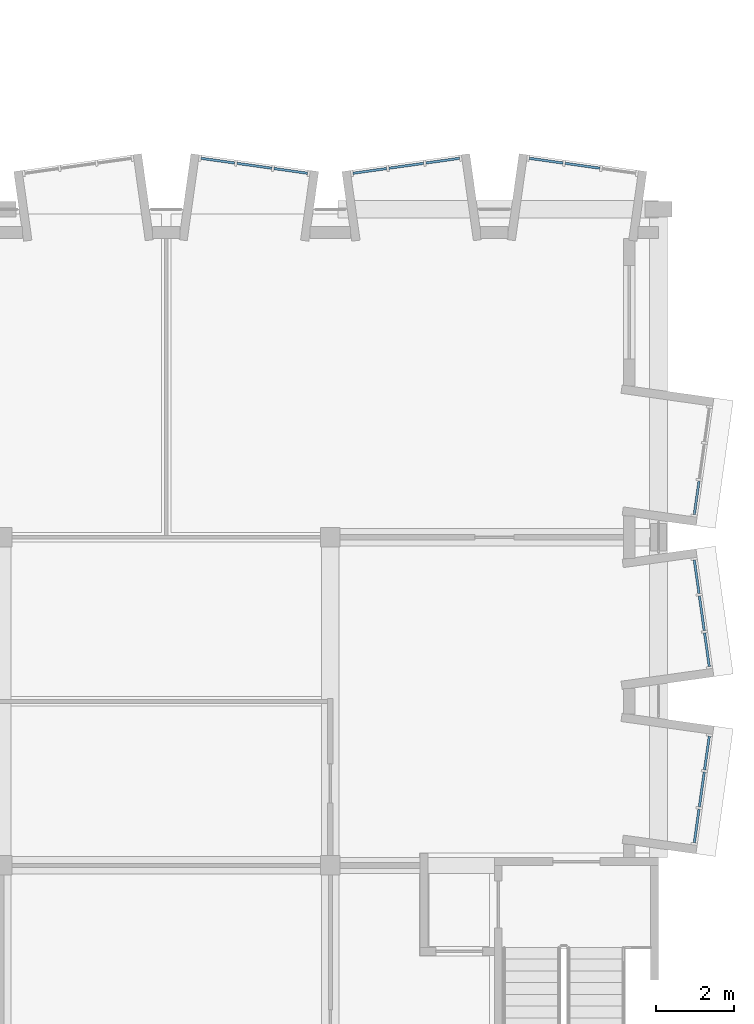
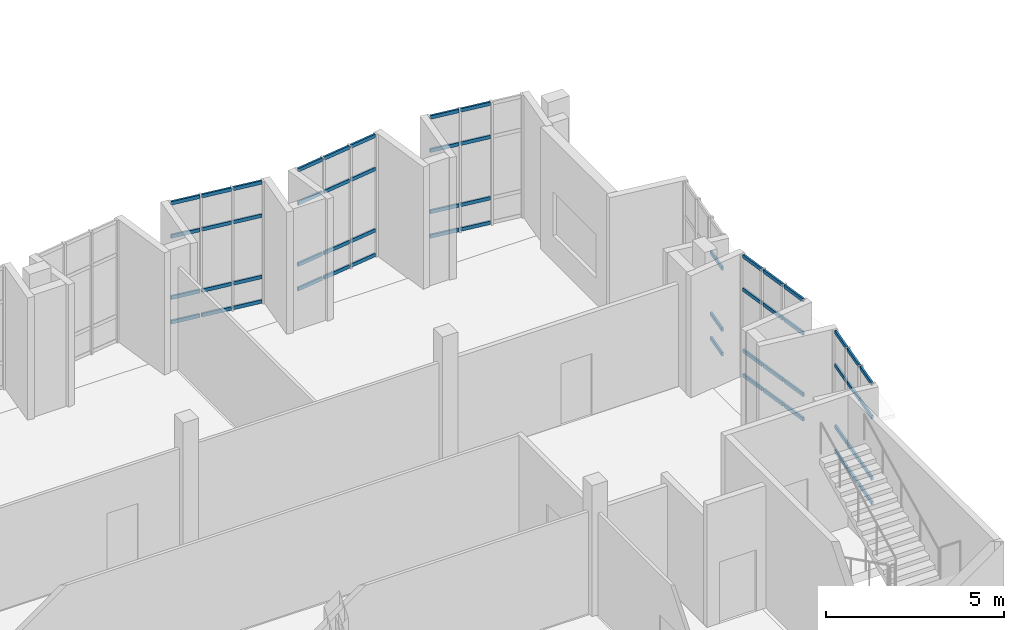
# One storey, part 7 of 18: 59 members, 6 elements without a shape of their own.
"""IFC4 building model written with IfcOpenShell, lengths in metres."""

from ifc_helpers import new_model, si_unit, direction, frame, origin, origin_2d, place, context, subcontext, project, spatial, rectangle, extrude, material, layer, layer_set, material_profile, profile_set, type_object, element, aggregate, save


model = new_model("IFC4")

# Units and contexts
model_context = context("Model", 3, precision=1e-05, world=origin(), true_north=direction((0.0, 1.0)))
body_context = subcontext(model_context, "Body", "Model", "MODEL_VIEW")
ifc_project = project(units=[si_unit("LENGTHUNIT", "METRE"), si_unit("AREAUNIT", "SQUARE_METRE"), si_unit("VOLUMEUNIT", "CUBIC_METRE"), si_unit("PLANEANGLEUNIT", "RADIAN"), si_unit("MASSUNIT", "GRAM", prefix="KILO")], contexts=[model_context])

# Site, building, storey
site_placement = place(None, origin())
site = spatial("IfcSite", under=ifc_project, at=site_placement, CompositionType="ELEMENT")
building_placement = place(site_placement, origin())
building = spatial("IfcBuilding", under=site, at=building_placement, Name="Kiln Court Media Centre", CompositionType="ELEMENT")
storey_placement = place(building_placement, frame((0.0, 0.0, 33.60009765625)))
storey = spatial("IfcBuildingStorey", under=building, at=storey_placement, Name="L07", CompositionType="ELEMENT", Elevation=33.60009765625)

# Curtain wall, members
ifc_material_1 = material(Name="Aluminium 6063-T6", Category="aluminium")
ifc_layer = layer(ifc_material_1, 0.1201171875)
ifc_layer_set = layer_set([ifc_layer], Name="Aluminium unitised bay curtain wall")
curtain_wall_type = type_object("IfcCurtainWallType", Name="Aluminium unitised bay curtain wall", PredefinedType="USERDEFINED", material=ifc_layer_set)
curtain_wall_1_placement = place(storey_placement, origin())
curtain_wall_1 = element("IfcCurtainWall", 1, at=curtain_wall_1_placement, inside=storey, type_object=curtain_wall_type, Name="BAY V6A-E-L07-14 front", ObjectType="UNITISED CURTAIN WALL", PredefinedType="USERDEFINED")
ifc_material_2 = material(Name="Aluminium 6063-T6", Category="aluminium")
ifc_material_profile = material_profile(ifc_material_2, rectangle(XDim=0.06005859375, YDim=0.1201171875, at=origin_2d()), Name="Aluminium transom 60x120")
ifc_profile_set = profile_set([ifc_material_profile], Name="Aluminium 6063-T6")
member_type = type_object("IfcMemberType", Name="Aluminium transom 60x120", PredefinedType="USERDEFINED", material=ifc_profile_set)
member_1_placement = place(storey_placement, frame((34.517822265625, 8.982421875, 0.059814453125), z_axis=(0.139133998951, 0.990273563383, 0.0), x_axis=(-0.990273563383, 0.139133998951, 0.0)))
member_1 = element("IfcMember", 2, at=member_1_placement, type_object=member_type, Name="CW7-01 transom 1.1", ObjectType="TRANSOM", PredefinedType="USERDEFINED", context=body_context, shape_type="SweptSolid", body=[
    extrude(rectangle(XDim=0.06005859375, YDim=0.1201171875, at=origin_2d()), origin(), (0.0, 0.0, 1.0), 0.866943359375),
])
member_2_placement = place(storey_placement, frame((34.517822265625, 8.982421875, 0.89990234375), z_axis=(0.139133998951, 0.990273563383, 0.0), x_axis=(-0.990273563383, 0.139133998951, 0.0)))
member_2 = element("IfcMember", 3, at=member_2_placement, type_object=member_type, Name="CW7-01 transom 1.2", ObjectType="TRANSOM", PredefinedType="USERDEFINED", context=body_context, shape_type="SweptSolid", body=[
    extrude(rectangle(XDim=0.06005859375, YDim=0.1201171875, at=origin_2d()), origin(), (0.0, 0.0, 1.0), 0.866943359375),
])
member_3_placement = place(storey_placement, frame((34.517822265625, 8.982421875, 3.0), z_axis=(0.139133998951, 0.990273563383, 0.0), x_axis=(-0.990273563383, 0.139133998951, 0.0)))
member_3 = element("IfcMember", 4, at=member_3_placement, type_object=member_type, Name="CW7-01 transom 1.3", ObjectType="TRANSOM", PredefinedType="USERDEFINED", context=body_context, shape_type="SweptSolid", body=[
    extrude(rectangle(XDim=0.06005859375, YDim=0.1201171875, at=origin_2d()), origin(), (0.0, 0.0, 1.0), 0.866943359375),
])
member_4_placement = place(storey_placement, frame((34.517822265625, 8.982421875, 4.139892578125), z_axis=(0.139133998951, 0.990273563383, 0.0), x_axis=(-0.990273563383, 0.139133998951, 0.0)))
member_4 = element("IfcMember", 5, at=member_4_placement, type_object=member_type, Name="CW7-01 transom 1.4", ObjectType="TRANSOM", PredefinedType="USERDEFINED", context=body_context, shape_type="SweptSolid", body=[
    extrude(rectangle(XDim=0.06005859375, YDim=0.1201171875, at=origin_2d()), origin(), (0.0, 0.0, 1.0), 0.866943359375),
])
member_5_placement = place(storey_placement, frame((34.646728515625, 9.900146484375, 0.059814453125), z_axis=(0.13913384707, 0.990273584723, 0.0), x_axis=(-0.990273584723, 0.13913384707, 0.0)))
member_5 = element("IfcMember", 6, at=member_5_placement, type_object=member_type, Name="CW7-01 transom 2.1", ObjectType="TRANSOM", PredefinedType="USERDEFINED", context=body_context, shape_type="SweptSolid", body=[
    extrude(rectangle(XDim=0.06005859375, YDim=0.1201171875, at=origin_2d()), origin(), (0.0, 0.0, 1.0), 0.896728515625),
])
member_6_placement = place(storey_placement, frame((34.646728515625, 9.900146484375, 0.89990234375), z_axis=(0.13913384707, 0.990273584723, 0.0), x_axis=(-0.990273584723, 0.13913384707, 0.0)))
member_6 = element("IfcMember", 7, at=member_6_placement, type_object=member_type, Name="CW7-01 transom 2.2", ObjectType="TRANSOM", PredefinedType="USERDEFINED", context=body_context, shape_type="SweptSolid", body=[
    extrude(rectangle(XDim=0.06005859375, YDim=0.1201171875, at=origin_2d()), origin(), (0.0, 0.0, 1.0), 0.896728515625),
])
member_7_placement = place(storey_placement, frame((34.646728515625, 9.900146484375, 3.0), z_axis=(0.13913384707, 0.990273584723, 0.0), x_axis=(-0.990273584723, 0.13913384707, 0.0)))
member_7 = element("IfcMember", 8, at=member_7_placement, type_object=member_type, Name="CW7-01 transom 2.3", ObjectType="TRANSOM", PredefinedType="USERDEFINED", context=body_context, shape_type="SweptSolid", body=[
    extrude(rectangle(XDim=0.06005859375, YDim=0.1201171875, at=origin_2d()), origin(), (0.0, 0.0, 1.0), 0.896728515625),
])
member_8_placement = place(storey_placement, frame((34.646728515625, 9.900146484375, 4.139892578125), z_axis=(0.13913384707, 0.990273584723, 0.0), x_axis=(-0.990273584723, 0.13913384707, 0.0)))
member_8 = element("IfcMember", 9, at=member_8_placement, type_object=member_type, Name="CW7-01 transom 2.4", ObjectType="TRANSOM", PredefinedType="USERDEFINED", context=body_context, shape_type="SweptSolid", body=[
    extrude(rectangle(XDim=0.06005859375, YDim=0.1201171875, at=origin_2d()), origin(), (0.0, 0.0, 1.0), 0.896728515625),
])
member_9_placement = place(storey_placement, frame((34.77978515625, 10.84765625, 0.059814453125), z_axis=(0.139172815303, 0.990268108888, 0.0), x_axis=(-0.990268108888, 0.139172815303, 0.0)))
member_9 = element("IfcMember", 10, at=member_9_placement, type_object=member_type, Name="CW7-01 transom 3.1", ObjectType="TRANSOM", PredefinedType="USERDEFINED", context=body_context, shape_type="SweptSolid", body=[
    extrude(rectangle(XDim=0.06005859375, YDim=0.1201171875, at=origin_2d()), origin(), (0.0, 0.0, 1.0), 0.86669921875),
])
member_10_placement = place(storey_placement, frame((34.77978515625, 10.84765625, 0.89990234375), z_axis=(0.139172815303, 0.990268108888, 0.0), x_axis=(-0.990268108888, 0.139172815303, 0.0)))
member_10 = element("IfcMember", 11, at=member_10_placement, type_object=member_type, Name="CW7-01 transom 3.2", ObjectType="TRANSOM", PredefinedType="USERDEFINED", context=body_context, shape_type="SweptSolid", body=[
    extrude(rectangle(XDim=0.06005859375, YDim=0.1201171875, at=origin_2d()), origin(), (0.0, 0.0, 1.0), 0.86669921875),
])
member_11_placement = place(storey_placement, frame((34.77978515625, 10.84765625, 3.0), z_axis=(0.139172815303, 0.990268108888, 0.0), x_axis=(-0.990268108888, 0.139172815303, 0.0)))
member_11 = element("IfcMember", 12, at=member_11_placement, type_object=member_type, Name="CW7-01 transom 3.3", ObjectType="TRANSOM", PredefinedType="USERDEFINED", context=body_context, shape_type="SweptSolid", body=[
    extrude(rectangle(XDim=0.06005859375, YDim=0.1201171875, at=origin_2d()), origin(), (0.0, 0.0, 1.0), 0.86669921875),
])
member_12_placement = place(storey_placement, frame((34.77978515625, 10.84765625, 4.139892578125), z_axis=(0.139172815303, 0.990268108888, 0.0), x_axis=(-0.990268108888, 0.139172815303, 0.0)))
member_12 = element("IfcMember", 13, at=member_12_placement, type_object=member_type, Name="CW7-01 transom 3.4", ObjectType="TRANSOM", PredefinedType="USERDEFINED", context=body_context, shape_type="SweptSolid", body=[
    extrude(rectangle(XDim=0.06005859375, YDim=0.1201171875, at=origin_2d()), origin(), (0.0, 0.0, 1.0), 0.86669921875),
])
aggregate(curtain_wall_1, [member_1, member_2, member_3, member_4, member_5, member_6, member_7, member_8, member_9, member_10, member_11, member_12])

curtain_wall_2_placement = place(storey_placement, origin())
curtain_wall_2 = element("IfcCurtainWall", 14, at=curtain_wall_2_placement, inside=storey, type_object=curtain_wall_type, Name="BAY V6A-E-L07-15 front", ObjectType="UNITISED CURTAIN WALL", PredefinedType="USERDEFINED")
member_13_placement = place(storey_placement, frame((34.900390625, 13.494140625, 0.059814453125), z_axis=(-0.139133998951, 0.990273563383, 0.0), x_axis=(-0.990273563383, -0.139133998951, 0.0)))
member_13 = element("IfcMember", 15, at=member_13_placement, type_object=member_type, Name="CW7-02 transom 1.1", ObjectType="TRANSOM", PredefinedType="USERDEFINED", context=body_context, shape_type="SweptSolid", body=[
    extrude(rectangle(XDim=0.06005859375, YDim=0.1201171875, at=origin_2d()), origin(), (0.0, 0.0, 1.0), 0.866943359375),
])
member_14_placement = place(storey_placement, frame((34.900390625, 13.494140625, 0.89990234375), z_axis=(-0.139133998951, 0.990273563383, 0.0), x_axis=(-0.990273563383, -0.139133998951, 0.0)))
member_14 = element("IfcMember", 16, at=member_14_placement, type_object=member_type, Name="CW7-02 transom 1.2", ObjectType="TRANSOM", PredefinedType="USERDEFINED", context=body_context, shape_type="SweptSolid", body=[
    extrude(rectangle(XDim=0.06005859375, YDim=0.1201171875, at=origin_2d()), origin(), (0.0, 0.0, 1.0), 0.866943359375),
])
member_15_placement = place(storey_placement, frame((34.900390625, 13.494140625, 3.0), z_axis=(-0.139133998951, 0.990273563383, 0.0), x_axis=(-0.990273563383, -0.139133998951, 0.0)))
member_15 = element("IfcMember", 17, at=member_15_placement, type_object=member_type, Name="CW7-02 transom 1.3", ObjectType="TRANSOM", PredefinedType="USERDEFINED", context=body_context, shape_type="SweptSolid", body=[
    extrude(rectangle(XDim=0.06005859375, YDim=0.1201171875, at=origin_2d()), origin(), (0.0, 0.0, 1.0), 0.866943359375),
])
member_16_placement = place(storey_placement, frame((34.900390625, 13.494140625, 4.139892578125), z_axis=(-0.139133998951, 0.990273563383, 0.0), x_axis=(-0.990273563383, -0.139133998951, 0.0)))
member_16 = element("IfcMember", 18, at=member_16_placement, type_object=member_type, Name="CW7-02 transom 1.4", ObjectType="TRANSOM", PredefinedType="USERDEFINED", context=body_context, shape_type="SweptSolid", body=[
    extrude(rectangle(XDim=0.06005859375, YDim=0.1201171875, at=origin_2d()), origin(), (0.0, 0.0, 1.0), 0.866943359375),
])
member_17_placement = place(storey_placement, frame((34.771484375, 14.411865234375, 0.059814453125), z_axis=(-0.13913384707, 0.990273584723, 0.0), x_axis=(-0.990273584723, -0.13913384707, 0.0)))
member_17 = element("IfcMember", 19, at=member_17_placement, type_object=member_type, Name="CW7-02 transom 2.1", ObjectType="TRANSOM", PredefinedType="USERDEFINED", context=body_context, shape_type="SweptSolid", body=[
    extrude(rectangle(XDim=0.06005859375, YDim=0.1201171875, at=origin_2d()), origin(), (0.0, 0.0, 1.0), 0.896728515625),
])
member_18_placement = place(storey_placement, frame((34.771484375, 14.411865234375, 0.89990234375), z_axis=(-0.13913384707, 0.990273584723, 0.0), x_axis=(-0.990273584723, -0.13913384707, 0.0)))
member_18 = element("IfcMember", 20, at=member_18_placement, type_object=member_type, Name="CW7-02 transom 2.2", ObjectType="TRANSOM", PredefinedType="USERDEFINED", context=body_context, shape_type="SweptSolid", body=[
    extrude(rectangle(XDim=0.06005859375, YDim=0.1201171875, at=origin_2d()), origin(), (0.0, 0.0, 1.0), 0.896728515625),
])
member_19_placement = place(storey_placement, frame((34.771484375, 14.411865234375, 3.0), z_axis=(-0.13913384707, 0.990273584723, 0.0), x_axis=(-0.990273584723, -0.13913384707, 0.0)))
member_19 = element("IfcMember", 21, at=member_19_placement, type_object=member_type, Name="CW7-02 transom 2.3", ObjectType="TRANSOM", PredefinedType="USERDEFINED", context=body_context, shape_type="SweptSolid", body=[
    extrude(rectangle(XDim=0.06005859375, YDim=0.1201171875, at=origin_2d()), origin(), (0.0, 0.0, 1.0), 0.896728515625),
])
member_20_placement = place(storey_placement, frame((34.771484375, 14.411865234375, 4.139892578125), z_axis=(-0.13913384707, 0.990273584723, 0.0), x_axis=(-0.990273584723, -0.13913384707, 0.0)))
member_20 = element("IfcMember", 22, at=member_20_placement, type_object=member_type, Name="CW7-02 transom 2.4", ObjectType="TRANSOM", PredefinedType="USERDEFINED", context=body_context, shape_type="SweptSolid", body=[
    extrude(rectangle(XDim=0.06005859375, YDim=0.1201171875, at=origin_2d()), origin(), (0.0, 0.0, 1.0), 0.896728515625),
])
member_21_placement = place(storey_placement, frame((34.638427734375, 15.359130859375, 0.059814453125), z_axis=(-0.139133998951, 0.990273563383, 0.0), x_axis=(-0.990273563383, -0.139133998951, 0.0)))
member_21 = element("IfcMember", 23, at=member_21_placement, type_object=member_type, Name="CW7-02 transom 3.1", ObjectType="TRANSOM", PredefinedType="USERDEFINED", context=body_context, shape_type="SweptSolid", body=[
    extrude(rectangle(XDim=0.06005859375, YDim=0.1201171875, at=origin_2d()), origin(), (0.0, 0.0, 1.0), 0.866943359375),
])
member_22_placement = place(storey_placement, frame((34.638427734375, 15.359130859375, 0.89990234375), z_axis=(-0.139133998951, 0.990273563383, 0.0), x_axis=(-0.990273563383, -0.139133998951, 0.0)))
member_22 = element("IfcMember", 24, at=member_22_placement, type_object=member_type, Name="CW7-02 transom 3.2", ObjectType="TRANSOM", PredefinedType="USERDEFINED", context=body_context, shape_type="SweptSolid", body=[
    extrude(rectangle(XDim=0.06005859375, YDim=0.1201171875, at=origin_2d()), origin(), (0.0, 0.0, 1.0), 0.866943359375),
])
member_23_placement = place(storey_placement, frame((34.638427734375, 15.359130859375, 3.0), z_axis=(-0.139133998951, 0.990273563383, 0.0), x_axis=(-0.990273563383, -0.139133998951, 0.0)))
member_23 = element("IfcMember", 25, at=member_23_placement, type_object=member_type, Name="CW7-02 transom 3.3", ObjectType="TRANSOM", PredefinedType="USERDEFINED", context=body_context, shape_type="SweptSolid", body=[
    extrude(rectangle(XDim=0.06005859375, YDim=0.1201171875, at=origin_2d()), origin(), (0.0, 0.0, 1.0), 0.866943359375),
])
member_24_placement = place(storey_placement, frame((34.638427734375, 15.359130859375, 4.139892578125), z_axis=(-0.139133998951, 0.990273563383, 0.0), x_axis=(-0.990273563383, -0.139133998951, 0.0)))
member_24 = element("IfcMember", 26, at=member_24_placement, type_object=member_type, Name="CW7-02 transom 3.4", ObjectType="TRANSOM", PredefinedType="USERDEFINED", context=body_context, shape_type="SweptSolid", body=[
    extrude(rectangle(XDim=0.06005859375, YDim=0.1201171875, at=origin_2d()), origin(), (0.0, 0.0, 1.0), 0.866943359375),
])
aggregate(curtain_wall_2, [member_13, member_14, member_15, member_16, member_17, member_18, member_19, member_20, member_21, member_22, member_23, member_24])

curtain_wall_3_placement = place(storey_placement, origin())
curtain_wall_3 = element("IfcCurtainWall", 27, at=curtain_wall_3_placement, inside=storey, type_object=curtain_wall_type, Name="BAY V6A-E-L07-16 front", ObjectType="UNITISED CURTAIN WALL", PredefinedType="USERDEFINED")
member_25_placement = place(storey_placement, frame((34.517822265625, 17.382568359375, 0.059814453125), z_axis=(0.139172815303, 0.990268108888, 0.0), x_axis=(-0.990268108888, 0.139172815303, 0.0)))
member_25 = element("IfcMember", 28, at=member_25_placement, type_object=member_type, Name="CW7-03 transom 1.1", ObjectType="TRANSOM", PredefinedType="USERDEFINED", context=body_context, shape_type="SweptSolid", body=[
    extrude(rectangle(XDim=0.06005859375, YDim=0.1201171875, at=origin_2d()), origin(), (0.0, 0.0, 1.0), 0.86669921875),
])
member_26_placement = place(storey_placement, frame((34.517822265625, 17.382568359375, 0.89990234375), z_axis=(0.139172815303, 0.990268108888, 0.0), x_axis=(-0.990268108888, 0.139172815303, 0.0)))
member_26 = element("IfcMember", 29, at=member_26_placement, type_object=member_type, Name="CW7-03 transom 1.2", ObjectType="TRANSOM", PredefinedType="USERDEFINED", context=body_context, shape_type="SweptSolid", body=[
    extrude(rectangle(XDim=0.06005859375, YDim=0.1201171875, at=origin_2d()), origin(), (0.0, 0.0, 1.0), 0.86669921875),
])
member_27_placement = place(storey_placement, frame((34.517822265625, 17.382568359375, 3.0), z_axis=(0.139172815303, 0.990268108888, 0.0), x_axis=(-0.990268108888, 0.139172815303, 0.0)))
member_27 = element("IfcMember", 30, at=member_27_placement, type_object=member_type, Name="CW7-03 transom 1.3", ObjectType="TRANSOM", PredefinedType="USERDEFINED", context=body_context, shape_type="SweptSolid", body=[
    extrude(rectangle(XDim=0.06005859375, YDim=0.1201171875, at=origin_2d()), origin(), (0.0, 0.0, 1.0), 0.86669921875),
])
aggregate(curtain_wall_3, [member_25, member_26, member_27])

curtain_wall_4_placement = place(storey_placement, origin())
curtain_wall_4 = element("IfcCurtainWall", 31, at=curtain_wall_4_placement, inside=storey, type_object=curtain_wall_type, Name="BAY V6A-N-L07-49 front", ObjectType="UNITISED CURTAIN WALL", PredefinedType="USERDEFINED")
member_28_placement = place(storey_placement, frame((21.894287109375, 26.50048828125, 0.059814453125), z_axis=(0.990268108888, -0.139172815303, 0.0), x_axis=(0.139172815303, 0.990268108888, 0.0)))
member_28 = element("IfcMember", 32, at=member_28_placement, type_object=member_type, Name="CW7-08 transom 1.1", ObjectType="TRANSOM", PredefinedType="USERDEFINED", context=body_context, shape_type="SweptSolid", body=[
    extrude(rectangle(XDim=0.06005859375, YDim=0.1201171875, at=origin_2d()), origin(), (0.0, 0.0, 1.0), 0.86669921875),
])
member_29_placement = place(storey_placement, frame((21.894287109375, 26.50048828125, 0.89990234375), z_axis=(0.990268108888, -0.139172815303, 0.0), x_axis=(0.139172815303, 0.990268108888, 0.0)))
member_29 = element("IfcMember", 33, at=member_29_placement, type_object=member_type, Name="CW7-08 transom 1.2", ObjectType="TRANSOM", PredefinedType="USERDEFINED", context=body_context, shape_type="SweptSolid", body=[
    extrude(rectangle(XDim=0.06005859375, YDim=0.1201171875, at=origin_2d()), origin(), (0.0, 0.0, 1.0), 0.86669921875),
])
member_30_placement = place(storey_placement, frame((21.894287109375, 26.50048828125, 3.0), z_axis=(0.990268108888, -0.139172815303, 0.0), x_axis=(0.139172815303, 0.990268108888, 0.0)))
member_30 = element("IfcMember", 34, at=member_30_placement, type_object=member_type, Name="CW7-08 transom 1.3", ObjectType="TRANSOM", PredefinedType="USERDEFINED", context=body_context, shape_type="SweptSolid", body=[
    extrude(rectangle(XDim=0.06005859375, YDim=0.1201171875, at=origin_2d()), origin(), (0.0, 0.0, 1.0), 0.86669921875),
])
member_31_placement = place(storey_placement, frame((21.894287109375, 26.50048828125, 4.139892578125), z_axis=(0.990268108888, -0.139172815303, 0.0), x_axis=(0.139172815303, 0.990268108888, 0.0)))
member_31 = element("IfcMember", 35, at=member_31_placement, type_object=member_type, Name="CW7-08 transom 1.4", ObjectType="TRANSOM", PredefinedType="USERDEFINED", context=body_context, shape_type="SweptSolid", body=[
    extrude(rectangle(XDim=0.06005859375, YDim=0.1201171875, at=origin_2d()), origin(), (0.0, 0.0, 1.0), 0.86669921875),
])
member_32_placement = place(storey_placement, frame((22.811767578125, 26.37158203125, 0.059814453125), z_axis=(0.990273584723, -0.13913384707, 0.0), x_axis=(0.13913384707, 0.990273584723, 0.0)))
member_32 = element("IfcMember", 36, at=member_32_placement, type_object=member_type, Name="CW7-08 transom 2.1", ObjectType="TRANSOM", PredefinedType="USERDEFINED", context=body_context, shape_type="SweptSolid", body=[
    extrude(rectangle(XDim=0.06005859375, YDim=0.1201171875, at=origin_2d()), origin(), (0.0, 0.0, 1.0), 0.896728515625),
])
member_33_placement = place(storey_placement, frame((22.811767578125, 26.37158203125, 0.89990234375), z_axis=(0.990273584723, -0.13913384707, 0.0), x_axis=(0.13913384707, 0.990273584723, 0.0)))
member_33 = element("IfcMember", 37, at=member_33_placement, type_object=member_type, Name="CW7-08 transom 2.2", ObjectType="TRANSOM", PredefinedType="USERDEFINED", context=body_context, shape_type="SweptSolid", body=[
    extrude(rectangle(XDim=0.06005859375, YDim=0.1201171875, at=origin_2d()), origin(), (0.0, 0.0, 1.0), 0.896728515625),
])
member_34_placement = place(storey_placement, frame((22.811767578125, 26.37158203125, 3.0), z_axis=(0.990273584723, -0.13913384707, 0.0), x_axis=(0.13913384707, 0.990273584723, 0.0)))
member_34 = element("IfcMember", 38, at=member_34_placement, type_object=member_type, Name="CW7-08 transom 2.3", ObjectType="TRANSOM", PredefinedType="USERDEFINED", context=body_context, shape_type="SweptSolid", body=[
    extrude(rectangle(XDim=0.06005859375, YDim=0.1201171875, at=origin_2d()), origin(), (0.0, 0.0, 1.0), 0.896728515625),
])
member_35_placement = place(storey_placement, frame((22.811767578125, 26.37158203125, 4.139892578125), z_axis=(0.990273584723, -0.13913384707, 0.0), x_axis=(0.13913384707, 0.990273584723, 0.0)))
member_35 = element("IfcMember", 39, at=member_35_placement, type_object=member_type, Name="CW7-08 transom 2.4", ObjectType="TRANSOM", PredefinedType="USERDEFINED", context=body_context, shape_type="SweptSolid", body=[
    extrude(rectangle(XDim=0.06005859375, YDim=0.1201171875, at=origin_2d()), origin(), (0.0, 0.0, 1.0), 0.896728515625),
])
member_36_placement = place(storey_placement, frame((23.75927734375, 26.23828125, 0.059814453125), z_axis=(0.990268108888, -0.139172815303, 0.0), x_axis=(0.139172815303, 0.990268108888, 0.0)))
member_36 = element("IfcMember", 40, at=member_36_placement, type_object=member_type, Name="CW7-08 transom 3.1", ObjectType="TRANSOM", PredefinedType="USERDEFINED", context=body_context, shape_type="SweptSolid", body=[
    extrude(rectangle(XDim=0.06005859375, YDim=0.1201171875, at=origin_2d()), origin(), (0.0, 0.0, 1.0), 0.86669921875),
])
member_37_placement = place(storey_placement, frame((23.75927734375, 26.23828125, 0.89990234375), z_axis=(0.990268108888, -0.139172815303, 0.0), x_axis=(0.139172815303, 0.990268108888, 0.0)))
member_37 = element("IfcMember", 41, at=member_37_placement, type_object=member_type, Name="CW7-08 transom 3.2", ObjectType="TRANSOM", PredefinedType="USERDEFINED", context=body_context, shape_type="SweptSolid", body=[
    extrude(rectangle(XDim=0.06005859375, YDim=0.1201171875, at=origin_2d()), origin(), (0.0, 0.0, 1.0), 0.86669921875),
])
member_38_placement = place(storey_placement, frame((23.75927734375, 26.23828125, 3.0), z_axis=(0.990268108888, -0.139172815303, 0.0), x_axis=(0.139172815303, 0.990268108888, 0.0)))
member_38 = element("IfcMember", 42, at=member_38_placement, type_object=member_type, Name="CW7-08 transom 3.3", ObjectType="TRANSOM", PredefinedType="USERDEFINED", context=body_context, shape_type="SweptSolid", body=[
    extrude(rectangle(XDim=0.06005859375, YDim=0.1201171875, at=origin_2d()), origin(), (0.0, 0.0, 1.0), 0.86669921875),
])
member_39_placement = place(storey_placement, frame((23.75927734375, 26.23828125, 4.139892578125), z_axis=(0.990268108888, -0.139172815303, 0.0), x_axis=(0.139172815303, 0.990268108888, 0.0)))
member_39 = element("IfcMember", 43, at=member_39_placement, type_object=member_type, Name="CW7-08 transom 3.4", ObjectType="TRANSOM", PredefinedType="USERDEFINED", context=body_context, shape_type="SweptSolid", body=[
    extrude(rectangle(XDim=0.06005859375, YDim=0.1201171875, at=origin_2d()), origin(), (0.0, 0.0, 1.0), 0.86669921875),
])
aggregate(curtain_wall_4, [member_28, member_29, member_30, member_31, member_32, member_33, member_34, member_35, member_36, member_37, member_38, member_39])

curtain_wall_5_placement = place(storey_placement, origin())
curtain_wall_5 = element("IfcCurtainWall", 44, at=curtain_wall_5_placement, inside=storey, type_object=curtain_wall_type, Name="BAY V6A-N-L07-50 front", ObjectType="UNITISED CURTAIN WALL", PredefinedType="USERDEFINED")
member_40_placement = place(storey_placement, frame((25.782470703125, 26.11767578125, 0.059814453125), z_axis=(0.990273563383, 0.139133998951, 0.0), x_axis=(-0.139133998951, 0.990273563383, 0.0)))
member_40 = element("IfcMember", 45, at=member_40_placement, type_object=member_type, Name="CW7-09 transom 1.1", ObjectType="TRANSOM", PredefinedType="USERDEFINED", context=body_context, shape_type="SweptSolid", body=[
    extrude(rectangle(XDim=0.06005859375, YDim=0.1201171875, at=origin_2d()), origin(), (0.0, 0.0, 1.0), 0.866943359375),
])
member_41_placement = place(storey_placement, frame((25.782470703125, 26.11767578125, 0.89990234375), z_axis=(0.990273563383, 0.139133998951, 0.0), x_axis=(-0.139133998951, 0.990273563383, 0.0)))
member_41 = element("IfcMember", 46, at=member_41_placement, type_object=member_type, Name="CW7-09 transom 1.2", ObjectType="TRANSOM", PredefinedType="USERDEFINED", context=body_context, shape_type="SweptSolid", body=[
    extrude(rectangle(XDim=0.06005859375, YDim=0.1201171875, at=origin_2d()), origin(), (0.0, 0.0, 1.0), 0.866943359375),
])
member_42_placement = place(storey_placement, frame((25.782470703125, 26.11767578125, 3.0), z_axis=(0.990273563383, 0.139133998951, 0.0), x_axis=(-0.139133998951, 0.990273563383, 0.0)))
member_42 = element("IfcMember", 47, at=member_42_placement, type_object=member_type, Name="CW7-09 transom 1.3", ObjectType="TRANSOM", PredefinedType="USERDEFINED", context=body_context, shape_type="SweptSolid", body=[
    extrude(rectangle(XDim=0.06005859375, YDim=0.1201171875, at=origin_2d()), origin(), (0.0, 0.0, 1.0), 0.866943359375),
])
member_43_placement = place(storey_placement, frame((25.782470703125, 26.11767578125, 4.139892578125), z_axis=(0.990273563383, 0.139133998951, 0.0), x_axis=(-0.139133998951, 0.990273563383, 0.0)))
member_43 = element("IfcMember", 48, at=member_43_placement, type_object=member_type, Name="CW7-09 transom 1.4", ObjectType="TRANSOM", PredefinedType="USERDEFINED", context=body_context, shape_type="SweptSolid", body=[
    extrude(rectangle(XDim=0.06005859375, YDim=0.1201171875, at=origin_2d()), origin(), (0.0, 0.0, 1.0), 0.866943359375),
])
member_44_placement = place(storey_placement, frame((26.7001953125, 26.246826171875, 0.059814453125), z_axis=(0.990273584723, 0.13913384707, 0.0), x_axis=(-0.13913384707, 0.990273584723, 0.0)))
member_44 = element("IfcMember", 49, at=member_44_placement, type_object=member_type, Name="CW7-09 transom 2.1", ObjectType="TRANSOM", PredefinedType="USERDEFINED", context=body_context, shape_type="SweptSolid", body=[
    extrude(rectangle(XDim=0.06005859375, YDim=0.1201171875, at=origin_2d()), origin(), (0.0, 0.0, 1.0), 0.896728515625),
])
member_45_placement = place(storey_placement, frame((26.7001953125, 26.246826171875, 0.89990234375), z_axis=(0.990273584723, 0.13913384707, 0.0), x_axis=(-0.13913384707, 0.990273584723, 0.0)))
member_45 = element("IfcMember", 50, at=member_45_placement, type_object=member_type, Name="CW7-09 transom 2.2", ObjectType="TRANSOM", PredefinedType="USERDEFINED", context=body_context, shape_type="SweptSolid", body=[
    extrude(rectangle(XDim=0.06005859375, YDim=0.1201171875, at=origin_2d()), origin(), (0.0, 0.0, 1.0), 0.896728515625),
])
member_46_placement = place(storey_placement, frame((26.7001953125, 26.246826171875, 3.0), z_axis=(0.990273584723, 0.13913384707, 0.0), x_axis=(-0.13913384707, 0.990273584723, 0.0)))
member_46 = element("IfcMember", 51, at=member_46_placement, type_object=member_type, Name="CW7-09 transom 2.3", ObjectType="TRANSOM", PredefinedType="USERDEFINED", context=body_context, shape_type="SweptSolid", body=[
    extrude(rectangle(XDim=0.06005859375, YDim=0.1201171875, at=origin_2d()), origin(), (0.0, 0.0, 1.0), 0.896728515625),
])
member_47_placement = place(storey_placement, frame((26.7001953125, 26.246826171875, 4.139892578125), z_axis=(0.990273584723, 0.13913384707, 0.0), x_axis=(-0.13913384707, 0.990273584723, 0.0)))
member_47 = element("IfcMember", 52, at=member_47_placement, type_object=member_type, Name="CW7-09 transom 2.4", ObjectType="TRANSOM", PredefinedType="USERDEFINED", context=body_context, shape_type="SweptSolid", body=[
    extrude(rectangle(XDim=0.06005859375, YDim=0.1201171875, at=origin_2d()), origin(), (0.0, 0.0, 1.0), 0.896728515625),
])
member_48_placement = place(storey_placement, frame((27.6474609375, 26.3798828125, 0.059814453125), z_axis=(0.990273563383, 0.139133998951, 0.0), x_axis=(-0.139133998951, 0.990273563383, 0.0)))
member_48 = element("IfcMember", 53, at=member_48_placement, type_object=member_type, Name="CW7-09 transom 3.1", ObjectType="TRANSOM", PredefinedType="USERDEFINED", context=body_context, shape_type="SweptSolid", body=[
    extrude(rectangle(XDim=0.06005859375, YDim=0.1201171875, at=origin_2d()), origin(), (0.0, 0.0, 1.0), 0.866943359375),
])
member_49_placement = place(storey_placement, frame((27.6474609375, 26.3798828125, 0.89990234375), z_axis=(0.990273563383, 0.139133998951, 0.0), x_axis=(-0.139133998951, 0.990273563383, 0.0)))
member_49 = element("IfcMember", 54, at=member_49_placement, type_object=member_type, Name="CW7-09 transom 3.2", ObjectType="TRANSOM", PredefinedType="USERDEFINED", context=body_context, shape_type="SweptSolid", body=[
    extrude(rectangle(XDim=0.06005859375, YDim=0.1201171875, at=origin_2d()), origin(), (0.0, 0.0, 1.0), 0.866943359375),
])
member_50_placement = place(storey_placement, frame((27.6474609375, 26.3798828125, 3.0), z_axis=(0.990273563383, 0.139133998951, 0.0), x_axis=(-0.139133998951, 0.990273563383, 0.0)))
member_50 = element("IfcMember", 55, at=member_50_placement, type_object=member_type, Name="CW7-09 transom 3.3", ObjectType="TRANSOM", PredefinedType="USERDEFINED", context=body_context, shape_type="SweptSolid", body=[
    extrude(rectangle(XDim=0.06005859375, YDim=0.1201171875, at=origin_2d()), origin(), (0.0, 0.0, 1.0), 0.866943359375),
])
member_51_placement = place(storey_placement, frame((27.6474609375, 26.3798828125, 4.139892578125), z_axis=(0.990273563383, 0.139133998951, 0.0), x_axis=(-0.139133998951, 0.990273563383, 0.0)))
member_51 = element("IfcMember", 56, at=member_51_placement, type_object=member_type, Name="CW7-09 transom 3.4", ObjectType="TRANSOM", PredefinedType="USERDEFINED", context=body_context, shape_type="SweptSolid", body=[
    extrude(rectangle(XDim=0.06005859375, YDim=0.1201171875, at=origin_2d()), origin(), (0.0, 0.0, 1.0), 0.866943359375),
])
aggregate(curtain_wall_5, [member_40, member_41, member_42, member_43, member_44, member_45, member_46, member_47, member_48, member_49, member_50, member_51])

curtain_wall_6_placement = place(storey_placement, origin())
curtain_wall_6 = element("IfcCurtainWall", 57, at=curtain_wall_6_placement, inside=storey, type_object=curtain_wall_type, Name="BAY V6A-N-L07-51 front", ObjectType="UNITISED CURTAIN WALL", PredefinedType="USERDEFINED")
member_52_placement = place(storey_placement, frame((30.294189453125, 26.50048828125, 0.059814453125), z_axis=(0.990268108888, -0.139172815303, 0.0), x_axis=(0.139172815303, 0.990268108888, 0.0)))
member_52 = element("IfcMember", 58, at=member_52_placement, type_object=member_type, Name="CW7-10 transom 1.1", ObjectType="TRANSOM", PredefinedType="USERDEFINED", context=body_context, shape_type="SweptSolid", body=[
    extrude(rectangle(XDim=0.06005859375, YDim=0.1201171875, at=origin_2d()), origin(), (0.0, 0.0, 1.0), 0.86669921875),
])
member_53_placement = place(storey_placement, frame((30.294189453125, 26.50048828125, 0.89990234375), z_axis=(0.990268108888, -0.139172815303, 0.0), x_axis=(0.139172815303, 0.990268108888, 0.0)))
member_53 = element("IfcMember", 59, at=member_53_placement, type_object=member_type, Name="CW7-10 transom 1.2", ObjectType="TRANSOM", PredefinedType="USERDEFINED", context=body_context, shape_type="SweptSolid", body=[
    extrude(rectangle(XDim=0.06005859375, YDim=0.1201171875, at=origin_2d()), origin(), (0.0, 0.0, 1.0), 0.86669921875),
])
member_54_placement = place(storey_placement, frame((30.294189453125, 26.50048828125, 3.0), z_axis=(0.990268108888, -0.139172815303, 0.0), x_axis=(0.139172815303, 0.990268108888, 0.0)))
member_54 = element("IfcMember", 60, at=member_54_placement, type_object=member_type, Name="CW7-10 transom 1.3", ObjectType="TRANSOM", PredefinedType="USERDEFINED", context=body_context, shape_type="SweptSolid", body=[
    extrude(rectangle(XDim=0.06005859375, YDim=0.1201171875, at=origin_2d()), origin(), (0.0, 0.0, 1.0), 0.86669921875),
])
member_55_placement = place(storey_placement, frame((30.294189453125, 26.50048828125, 4.139892578125), z_axis=(0.990268108888, -0.139172815303, 0.0), x_axis=(0.139172815303, 0.990268108888, 0.0)))
member_55 = element("IfcMember", 61, at=member_55_placement, type_object=member_type, Name="CW7-10 transom 1.4", ObjectType="TRANSOM", PredefinedType="USERDEFINED", context=body_context, shape_type="SweptSolid", body=[
    extrude(rectangle(XDim=0.06005859375, YDim=0.1201171875, at=origin_2d()), origin(), (0.0, 0.0, 1.0), 0.86669921875),
])
member_56_placement = place(storey_placement, frame((31.2119140625, 26.37158203125, 0.059814453125), z_axis=(0.990273584723, -0.13913384707, 0.0), x_axis=(0.13913384707, 0.990273584723, 0.0)))
member_56 = element("IfcMember", 62, at=member_56_placement, type_object=member_type, Name="CW7-10 transom 2.1", ObjectType="TRANSOM", PredefinedType="USERDEFINED", context=body_context, shape_type="SweptSolid", body=[
    extrude(rectangle(XDim=0.06005859375, YDim=0.1201171875, at=origin_2d()), origin(), (0.0, 0.0, 1.0), 0.896728515625),
])
member_57_placement = place(storey_placement, frame((31.2119140625, 26.37158203125, 0.89990234375), z_axis=(0.990273584723, -0.13913384707, 0.0), x_axis=(0.13913384707, 0.990273584723, 0.0)))
member_57 = element("IfcMember", 63, at=member_57_placement, type_object=member_type, Name="CW7-10 transom 2.2", ObjectType="TRANSOM", PredefinedType="USERDEFINED", context=body_context, shape_type="SweptSolid", body=[
    extrude(rectangle(XDim=0.06005859375, YDim=0.1201171875, at=origin_2d()), origin(), (0.0, 0.0, 1.0), 0.896728515625),
])
member_58_placement = place(storey_placement, frame((31.2119140625, 26.37158203125, 3.0), z_axis=(0.990273584723, -0.13913384707, 0.0), x_axis=(0.13913384707, 0.990273584723, 0.0)))
member_58 = element("IfcMember", 64, at=member_58_placement, type_object=member_type, Name="CW7-10 transom 2.3", ObjectType="TRANSOM", PredefinedType="USERDEFINED", context=body_context, shape_type="SweptSolid", body=[
    extrude(rectangle(XDim=0.06005859375, YDim=0.1201171875, at=origin_2d()), origin(), (0.0, 0.0, 1.0), 0.896728515625),
])
member_59_placement = place(storey_placement, frame((31.2119140625, 26.37158203125, 4.139892578125), z_axis=(0.990273584723, -0.13913384707, 0.0), x_axis=(0.13913384707, 0.990273584723, 0.0)))
member_59 = element("IfcMember", 65, at=member_59_placement, type_object=member_type, Name="CW7-10 transom 2.4", ObjectType="TRANSOM", PredefinedType="USERDEFINED", context=body_context, shape_type="SweptSolid", body=[
    extrude(rectangle(XDim=0.06005859375, YDim=0.1201171875, at=origin_2d()), origin(), (0.0, 0.0, 1.0), 0.896728515625),
])
aggregate(curtain_wall_6, [member_52, member_53, member_54, member_55, member_56, member_57, member_58, member_59])

save(model, "model.ifc")
